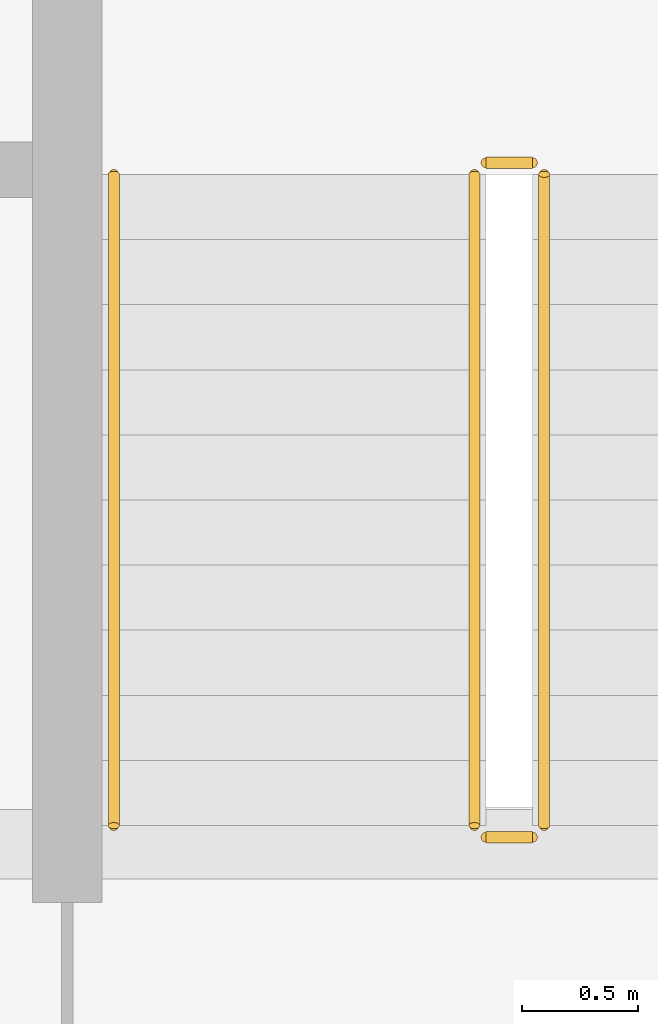
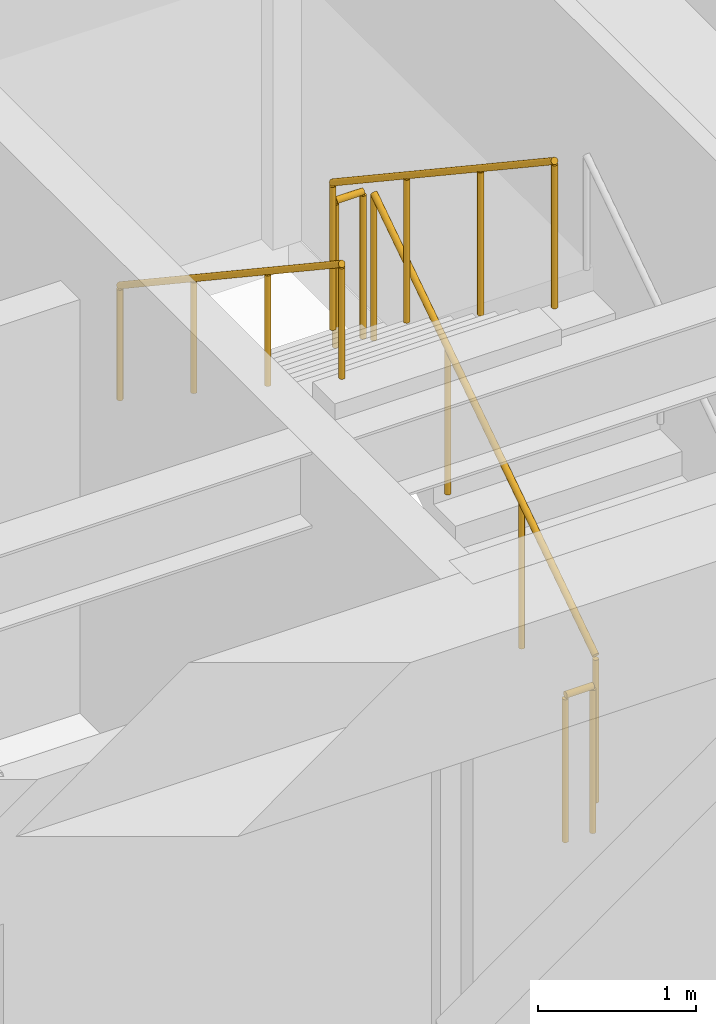
# One storey, part 33 of 34: 5 railings.
"""IFC4 building model written with IfcOpenShell, lengths in metres."""

from ifc_helpers import new_model, si_unit, direction, frame, origin, origin_2d, place, context, subcontext, project, spatial, circle, extrude, source, transform, mapped, material, type_object, type_shapes, element, save


model = new_model("IFC4")

# Units and contexts
model_context = context("Model", 3, precision=1e-05, world=origin(), true_north=direction((0.0, 1.0)))
body_context = subcontext(model_context, "Body", "Model", "MODEL_VIEW")
ifc_project = project(units=[si_unit("LENGTHUNIT", "METRE"), si_unit("AREAUNIT", "SQUARE_METRE"), si_unit("VOLUMEUNIT", "CUBIC_METRE"), si_unit("PLANEANGLEUNIT", "RADIAN"), si_unit("MASSUNIT", "GRAM", prefix="KILO")], contexts=[model_context])

# Site, building, storey
site_placement = place(None, origin())
site = spatial("IfcSite", under=ifc_project, at=site_placement, CompositionType="ELEMENT")
building_placement = place(site_placement, origin())
building = spatial("IfcBuilding", under=site, at=building_placement, Name="Haelvirn Gate Laboratories", CompositionType="ELEMENT")
storey_placement = place(building_placement, frame((0.0, 0.0, 158.39990234375)))
storey = spatial("IfcBuildingStorey", under=building, at=storey_placement, Name="L38", CompositionType="ELEMENT", Elevation=158.39990234375)

# Railings
ifc_material_1 = material(Name="Galvanised steel SM355 & stainless top rail", Category="steel")
railing_type_1 = type_object("IfcRailingType", Name="RL-GUARD-1150", PredefinedType="GUARDRAIL", material=ifc_material_1)
shared_shape_1 = source(origin(), body_context, "Body", "SweptSolid", [
    extrude(circle(Radius=0.02392578125, at=origin_2d()), frame((0.0, 0.0, 1.1259765625), z_axis=(0.0, 0.832485552168, 0.554046753832), x_axis=(-1.0, 0.0, 0.0)), (0.0, 0.0, 1.0), 3.363525390625),
    extrude(circle(Radius=0.02099609375, at=origin_2d()), origin(), (0.0, 0.0, 1.0), 1.101806640625),
    extrude(circle(Radius=0.02099609375, at=origin_2d()), frame((0.0, 0.933349609375, 0.62109375)), (0.0, 0.0, 1.0), 1.101806640625),
    extrude(circle(Radius=0.02099609375, at=origin_2d()), frame((0.0, 1.86669921875, 1.242431640625)), (0.0, 0.0, 1.0), 1.101806640625),
    extrude(circle(Radius=0.02099609375, at=origin_2d()), frame((0.0, 2.800048828125, 1.863525390625)), (0.0, 0.0, 1.0), 1.101806640625),
])
railing_1_placement = place(storey_placement, frame((65.39990234375, 26.699951171875, 0.1865234375)))
element("IfcRailing", 1, at=railing_1_placement, inside=storey, type_object=railing_type_1, Name="L38 ST2 stair guard 1", PredefinedType="GUARDRAIL", context=body_context, shape_type="MappedRepresentation", body=[
    mapped(shared_shape_1, transform((0.0, 0.0, 0.0), scale=1.0)),
])
shared_shape_2 = source(origin(), body_context, "Body", "SweptSolid", [
    extrude(circle(Radius=0.02392578125, at=origin_2d()), frame((0.0, 0.0, 1.1259765625), z_axis=(0.0, -0.832485552168, 0.554046753832), x_axis=(1.0, 0.0, 0.0)), (0.0, 0.0, 1.0), 3.363525390625),
    extrude(circle(Radius=0.02099609375, at=origin_2d()), origin(), (0.0, 0.0, 1.0), 1.101806640625),
    extrude(circle(Radius=0.02099609375, at=origin_2d()), frame((0.0, -0.933349609375, 0.62109375)), (0.0, 0.0, 1.0), 1.101806640625),
    extrude(circle(Radius=0.02099609375, at=origin_2d()), frame((0.0, -1.86669921875, 1.242431640625)), (0.0, 0.0, 1.0), 1.101806640625),
    extrude(circle(Radius=0.02099609375, at=origin_2d()), frame((0.0, -2.800048828125, 1.863525390625)), (0.0, 0.0, 1.0), 1.101806640625),
])
railing_2_placement = place(storey_placement, frame((65.10009765625, 29.5, 2.236572265625)))
element("IfcRailing", 2, at=railing_2_placement, inside=storey, type_object=railing_type_1, Name="L38 ST2 stair guard 3", PredefinedType="GUARDRAIL", context=body_context, shape_type="MappedRepresentation", body=[
    mapped(shared_shape_2, transform((0.0, 0.0, 0.0), scale=1.0)),
])
ifc_material_2 = material(Name="Brushed stainless steel 316L", Category="steel")
railing_type_2 = type_object("IfcRailingType", Name="RL-HAND-920", PredefinedType="HANDRAIL", material=ifc_material_2)
shared_shape_3 = source(origin(), body_context, "Body", "SweptSolid", [
    extrude(circle(Radius=0.02392578125, at=origin_2d()), frame((0.0, 0.0, 0.8759765625), z_axis=(0.0, -0.832485552168, 0.554046753832), x_axis=(1.0, 0.0, 0.0)), (0.0, 0.0, 1.0), 3.363525390625),
    extrude(circle(Radius=0.02099609375, at=origin_2d()), origin(), (0.0, 0.0, 1.0), 0.851806640625),
    extrude(circle(Radius=0.02099609375, at=origin_2d()), frame((0.0, -0.933349609375, 0.62109375)), (0.0, 0.0, 1.0), 0.851806640625),
    extrude(circle(Radius=0.02099609375, at=origin_2d()), frame((0.0, -1.86669921875, 1.242431640625)), (0.0, 0.0, 1.0), 0.851806640625),
    extrude(circle(Radius=0.02099609375, at=origin_2d()), frame((0.0, -2.800048828125, 1.863525390625)), (0.0, 0.0, 1.0), 0.851806640625),
])
type_shapes(railing_type_2, [shared_shape_3])
railing_3_placement = place(storey_placement, frame((63.550048828125, 29.5, 2.236572265625)))
element("IfcRailing", 3, at=railing_3_placement, inside=storey, type_object=railing_type_2, Name="L38 ST2 stair handrail 2", PredefinedType="HANDRAIL", context=body_context, shape_type="MappedRepresentation", body=[
    mapped(shared_shape_3, transform((0.0, 0.0, 0.0), scale=1.0)),
])
shared_shape_4 = source(origin(), body_context, "Body", "SweptSolid", [
    extrude(circle(Radius=0.02392578125, at=origin_2d()), frame((0.0, 0.0, 1.1259765625), z_axis=(-1.0, 0.0, 0.0), x_axis=(0.0, -1.0, 0.0)), (0.0, 0.0, 1.0), 0.2001953125),
    extrude(circle(Radius=0.02099609375, at=origin_2d()), origin(), (0.0, 0.0, 1.0), 1.101806640625),
    extrude(circle(Radius=0.02099609375, at=origin_2d()), frame((-0.2001953125, 0.0, 0.0)), (0.0, 0.0, 1.0), 1.101806640625),
])
type_shapes(railing_type_1, [shared_shape_1, shared_shape_2, shared_shape_4])
for number, where, name in (
    (4, (65.35009765625, 29.550048828125, 2.050048828125), "L38 ST2 stair guard 2"),
    (5, (65.35009765625, 26.64990234375, 0.0), "L38 ST2 stair guard 4"),
):
    element("IfcRailing", number, at=place(storey_placement, frame(where)), inside=storey, type_object=railing_type_1, Name=name, PredefinedType="GUARDRAIL", context=body_context, shape_type="MappedRepresentation", body=[
        mapped(shared_shape_4, transform((0.0, 0.0, 0.0), scale=1.0)),
    ])

save(model, "model.ifc")
